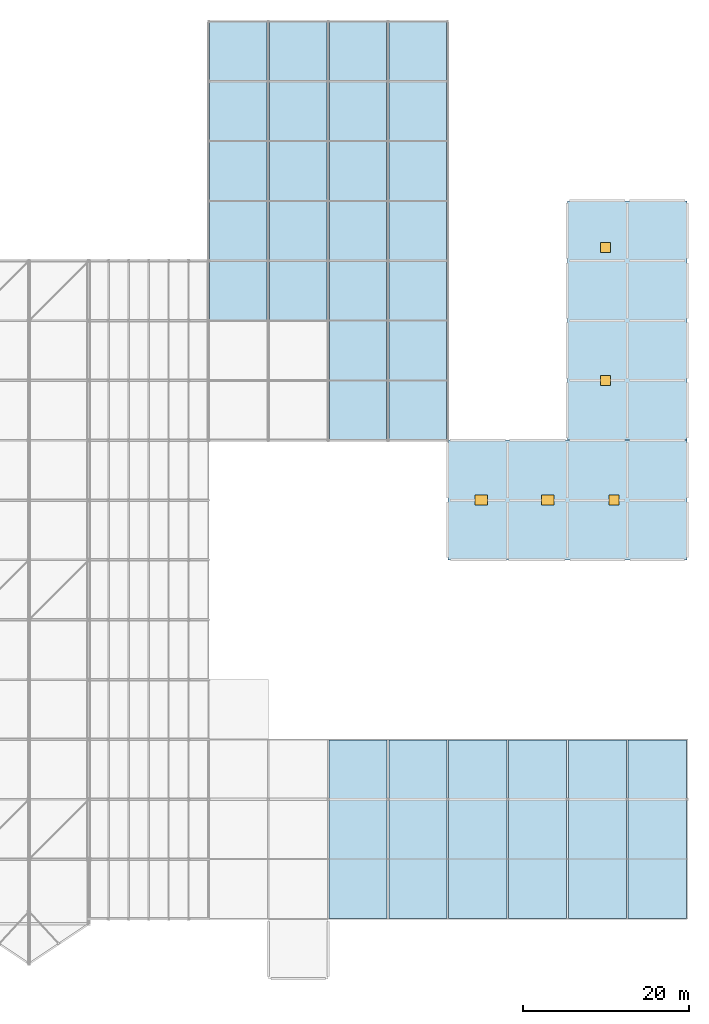
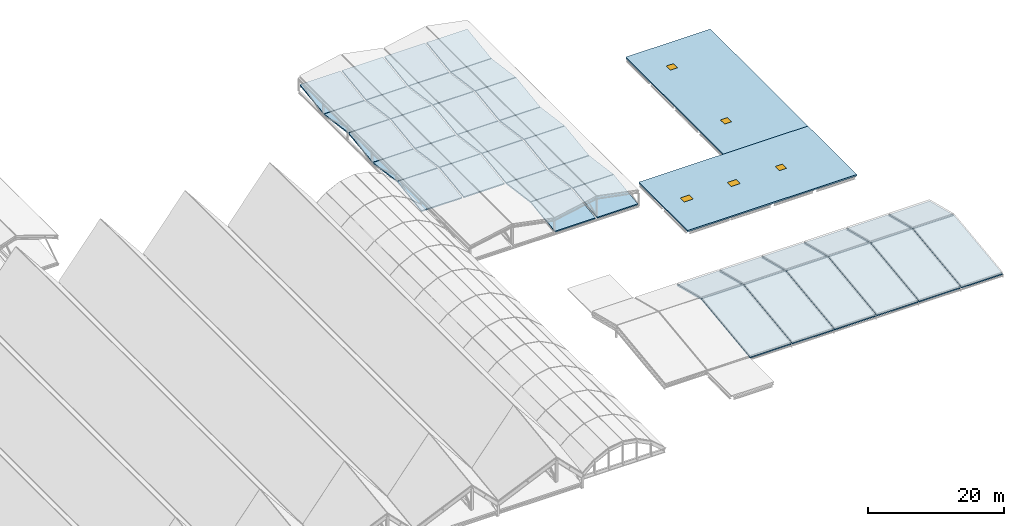
# One storey, part 43 of 60: 38 slabs, 5 windows, 5 openings.
"""IFC4 building model written with IfcOpenShell, lengths in metres."""

from ifc_helpers import new_model, si_unit, direction, frame, origin, origin_2d, place, context, subcontext, project, spatial, polyline, rectangle, outline, extrude, material, layer, layer_set, type_object, element, fill, save


model = new_model("IFC4")

# Units and contexts
model_context = context("Model", 3, precision=1e-05, world=origin(), true_north=direction((0.0, 1.0)))
body_context = subcontext(model_context, "Body", "Model", "MODEL_VIEW")
ifc_project = project(units=[si_unit("LENGTHUNIT", "METRE"), si_unit("AREAUNIT", "SQUARE_METRE"), si_unit("VOLUMEUNIT", "CUBIC_METRE"), si_unit("PLANEANGLEUNIT", "RADIAN"), si_unit("MASSUNIT", "GRAM", prefix="KILO")], contexts=[model_context])

# Site, building, storey
site_placement = place(None, origin())
site = spatial("IfcSite", under=ifc_project, at=site_placement, CompositionType="ELEMENT")
building_placement = place(site_placement, origin())
building = spatial("IfcBuilding", under=site, at=building_placement, Name="Vesperath Aquatics Centre", CompositionType="ELEMENT")
storey_placement = place(building_placement, frame((0.0, 0.0, 27.60009765625)))
storey = spatial("IfcBuildingStorey", under=building, at=storey_placement, Name="RF", CompositionType="ELEMENT", Elevation=27.60009765625)

# Slab, openings, windows
ifc_material_1 = material(Name="Concrete C35", Category="concrete")
ifc_layer_1 = layer(ifc_material_1, 0.2548828125)
ifc_layer_set_1 = layer_set([ifc_layer_1], Name="Concrete C35")
slab_type_1 = type_object("IfcSlabType", Name="SL-RF01", PredefinedType="ROOF", material=ifc_layer_set_1)
slab_1_placement = place(storey_placement, frame((0.0, 0.0, -8.56005859375)))
slab_1 = element("IfcSlab", 1, at=slab_1_placement, inside=storey, type_object=slab_type_1, Name="Conservatory Salon Flat Roof Slab RD01", PredefinedType="ROOF", context=body_context, shape_type="SweptSolid", body=[
    extrude(outline(polyline([(144.0, 50.39990234375), (172.800048828125, 50.39990234375), (172.800048828125, 64.800048828125), (144.0, 64.800048828125), (144.0, 50.39990234375)])), origin(), (0.0, 0.0, 1.0), 0.2548828125),
])
opening_1_placement = place(slab_1_placement, frame((148.0, 57.60009765625, -0.014892578125)))
opening_1 = element("IfcOpeningElement", 2, at=opening_1_placement, cuts=slab_1, Name="Opening RH02", PredefinedType="OPENING", context=body_context, shape_type="SweptSolid", body=[
    extrude(rectangle(XDim=1.5, YDim=1.199951171875, at=origin_2d()), origin(), (0.0, 0.0, 1.0), 0.28466796875),
])
opening_2_placement = place(slab_1_placement, frame((156.0, 57.60009765625, -0.014892578125)))
opening_2 = element("IfcOpeningElement", 3, at=opening_2_placement, cuts=slab_1, Name="Opening RH02", PredefinedType="OPENING", context=body_context, shape_type="SweptSolid", body=[
    extrude(rectangle(XDim=1.5, YDim=1.199951171875, at=origin_2d()), origin(), (0.0, 0.0, 1.0), 0.28466796875),
])
opening_3_placement = place(slab_1_placement, frame((164.0, 57.60009765625, -0.014892578125)))
opening_3 = element("IfcOpeningElement", 4, at=opening_3_placement, cuts=slab_1, Name="Opening RH01", PredefinedType="OPENING", context=body_context, shape_type="SweptSolid", body=[
    extrude(rectangle(XDim=1.199951171875, YDim=1.199951171875, at=origin_2d()), origin(), (0.0, 0.0, 1.0), 0.28466796875),
])
ifc_material_2 = material(Name="Thermally broken aluminium triple-glazed window", Category="aluminium")
window_type_1 = type_object("IfcWindowType", Name="WN-RH01", PartitioningType="SINGLE_PANEL", PredefinedType="SKYLIGHT", material=ifc_material_2)
window_1_placement = place(opening_3_placement, frame((0.0, 0.0, 0.2197265625)))
window_1 = element("IfcWindow", 5, at=window_1_placement, inside=storey, type_object=window_type_1, Name="Insulated Roof Access Skylight Hatch RH01", OverallHeight=1.199951171875, OverallWidth=1.199951171875, PartitioningType="SINGLE_PANEL", PredefinedType="SKYLIGHT", context=body_context, shape_type="SweptSolid", body=[
    extrude(rectangle(XDim=1.199951171875, YDim=1.199951171875, at=origin_2d()), origin(), (0.0, 0.0, 1.0), 0.050048828125),
])
fill(opening_3, window_1)
window_type_2 = type_object("IfcWindowType", Name="WN-RH02", PartitioningType="SINGLE_PANEL", PredefinedType="SKYLIGHT", material=ifc_material_2)
window_2_placement = place(opening_1_placement, frame((0.0, 0.0, 0.2197265625)))
window_2 = element("IfcWindow", 6, at=window_2_placement, inside=storey, type_object=window_type_2, Name="Insulated Roof Access Skylight Hatch RH02", OverallHeight=1.199951171875, OverallWidth=1.5, PartitioningType="SINGLE_PANEL", PredefinedType="SKYLIGHT", context=body_context, shape_type="SweptSolid", body=[
    extrude(rectangle(XDim=1.5, YDim=1.199951171875, at=origin_2d()), origin(), (0.0, 0.0, 1.0), 0.050048828125),
])
fill(opening_1, window_2)
window_3_placement = place(opening_2_placement, frame((0.0, 0.0, 0.2197265625)))
window_3 = element("IfcWindow", 7, at=window_3_placement, inside=storey, type_object=window_type_2, Name="Insulated Roof Access Skylight Hatch RH02", OverallHeight=1.199951171875, OverallWidth=1.5, PartitioningType="SINGLE_PANEL", PredefinedType="SKYLIGHT", context=body_context, shape_type="SweptSolid", body=[
    extrude(rectangle(XDim=1.5, YDim=1.199951171875, at=origin_2d()), origin(), (0.0, 0.0, 1.0), 0.050048828125),
])
fill(opening_2, window_3)

slab_2_placement = place(storey_placement, frame((0.0, 0.0, -8.56005859375)))
slab_2 = element("IfcSlab", 8, at=slab_2_placement, inside=storey, type_object=slab_type_1, Name="East Core Headhouse Roof Slab RD01", PredefinedType="ROOF", context=body_context, shape_type="SweptSolid", body=[
    extrude(outline(polyline([(158.39990234375, 64.800048828125), (172.800048828125, 64.800048828125), (172.800048828125, 93.60009765625), (158.39990234375, 93.60009765625), (158.39990234375, 64.800048828125)])), origin(), (0.0, 0.0, 1.0), 0.2548828125),
])
opening_4_placement = place(slab_2_placement, frame((163.0, 72.0, -0.014892578125)))
opening_4 = element("IfcOpeningElement", 9, at=opening_4_placement, cuts=slab_2, Name="Opening RH01", PredefinedType="OPENING", context=body_context, shape_type="SweptSolid", body=[
    extrude(rectangle(XDim=1.199951171875, YDim=1.199951171875, at=origin_2d()), origin(), (0.0, 0.0, 1.0), 0.28466796875),
])
opening_5_placement = place(slab_2_placement, frame((163.0, 88.0, -0.014892578125)))
opening_5 = element("IfcOpeningElement", 10, at=opening_5_placement, cuts=slab_2, Name="Opening RH01", PredefinedType="OPENING", context=body_context, shape_type="SweptSolid", body=[
    extrude(rectangle(XDim=1.199951171875, YDim=1.199951171875, at=origin_2d()), origin(), (0.0, 0.0, 1.0), 0.28466796875),
])
window_4_placement = place(opening_4_placement, frame((0.0, 0.0, 0.2197265625)))
window_4 = element("IfcWindow", 11, at=window_4_placement, inside=storey, type_object=window_type_1, Name="Insulated Roof Access Skylight Hatch RH01", OverallHeight=1.199951171875, OverallWidth=1.199951171875, PartitioningType="SINGLE_PANEL", PredefinedType="SKYLIGHT", context=body_context, shape_type="SweptSolid", body=[
    extrude(rectangle(XDim=1.199951171875, YDim=1.199951171875, at=origin_2d()), origin(), (0.0, 0.0, 1.0), 0.050048828125),
])
fill(opening_4, window_4)
window_5_placement = place(opening_5_placement, frame((0.0, 0.0, 0.2197265625)))
window_5 = element("IfcWindow", 12, at=window_5_placement, inside=storey, type_object=window_type_1, Name="Insulated Roof Access Skylight Hatch RH01", OverallHeight=1.199951171875, OverallWidth=1.199951171875, PartitioningType="SINGLE_PANEL", PredefinedType="SKYLIGHT", context=body_context, shape_type="SweptSolid", body=[
    extrude(rectangle(XDim=1.199951171875, YDim=1.199951171875, at=origin_2d()), origin(), (0.0, 0.0, 1.0), 0.050048828125),
])
fill(opening_5, window_5)

# Slabs
ifc_layer_2 = layer(ifc_material_1, 0.235107421875)
ifc_layer_set_2 = layer_set([ifc_layer_2], Name="Concrete C35")
slab_type_2 = type_object("IfcSlabType", Name="SL-RF02", PredefinedType="ROOF", material=ifc_layer_set_2)
for number, where, z_axis, x_axis, name in (
    (13, (115.35009765625, 79.2451171875, -12.2001953125), (0.0, -0.133904347834, 0.990994261149), (1.0, 0.0, 0.0), "Training Hall Lower Folded Roof Deck RD02 17-2"),
    (14, (115.35009765625, 86.445068359375, -11.239501953125), (0.0, 0.133904347834, 0.990994261149), (1.0, 0.0, 0.0), "Training Hall Lower Folded Roof Deck RD02 17-3"),
    (15, (115.35009765625, 93.64501953125, -12.2001953125), (0.0, -0.133904347834, 0.990994261149), (1.0, 0.0, 0.0), "Training Hall Lower Folded Roof Deck RD02 17-4"),
):
    element("IfcSlab", number, at=place(storey_placement, frame(where, z_axis=z_axis, x_axis=x_axis)), inside=storey, type_object=slab_type_2, Name=name, PredefinedType="ROOF", context=body_context, shape_type="SweptSolid", body=[
        extrude(outline(polyline([(0.0, 0.0), (6.89990234375, 0.0), (6.89990234375, 7.174474727031536), (0.0, 7.174474727031536), (0.0, 0.0)])), origin(), (0.0, 0.0, -1.0), 0.235107421875),
    ])
for number, where, z_axis, x_axis, name in (
    (16, (115.35009765625, 100.844970703125, -11.239501953125), (0.0, 0.133899832382, 0.990994871272), (1.0, 0.0, 0.0), "Training Hall Lower Folded Roof Deck RD02 17-5"),
    (17, (115.35009765625, 108.044921875, -12.2001953125), (0.0, -0.133899832382, 0.990994871272), (1.0, 0.0, 0.0), "Training Hall Lower Folded Roof Deck RD02 17-6"),
):
    element("IfcSlab", number, at=place(storey_placement, frame(where, z_axis=z_axis, x_axis=x_axis)), inside=storey, type_object=slab_type_2, Name=name, PredefinedType="ROOF", context=body_context, shape_type="SweptSolid", body=[
        extrude(outline(polyline([(0.0, 0.0), (6.89990234375, 0.0), (6.89990234375, 7.174716669064304), (0.0, 7.174716669064304), (0.0, 0.0)])), origin(), (0.0, 0.0, -1.0), 0.235107421875),
    ])
for number, where, z_axis, x_axis, name in (
    (18, (122.550048828125, 79.2451171875, -12.2001953125), (0.0, -0.133904347834, 0.990994261149), (1.0, 0.0, 0.0), "Training Hall Lower Folded Roof Deck RD02 18-2"),
    (19, (122.550048828125, 86.445068359375, -11.239501953125), (0.0, 0.133904347834, 0.990994261149), (1.0, 0.0, 0.0), "Training Hall Lower Folded Roof Deck RD02 18-3"),
    (20, (122.550048828125, 93.64501953125, -12.2001953125), (0.0, -0.133904347834, 0.990994261149), (1.0, 0.0, 0.0), "Training Hall Lower Folded Roof Deck RD02 18-4"),
):
    element("IfcSlab", number, at=place(storey_placement, frame(where, z_axis=z_axis, x_axis=x_axis)), inside=storey, type_object=slab_type_2, Name=name, PredefinedType="ROOF", context=body_context, shape_type="SweptSolid", body=[
        extrude(outline(polyline([(0.0, 0.0), (6.89990234375, 0.0), (6.89990234375, 7.174474727031536), (0.0, 7.174474727031536), (0.0, 0.0)])), origin(), (0.0, 0.0, -1.0), 0.235107421875),
    ])
for number, where, z_axis, x_axis, name in (
    (21, (122.550048828125, 100.844970703125, -11.239501953125), (0.0, 0.133899832382, 0.990994871272), (1.0, 0.0, 0.0), "Training Hall Lower Folded Roof Deck RD02 18-5"),
    (22, (122.550048828125, 108.044921875, -12.2001953125), (0.0, -0.133899832382, 0.990994871272), (1.0, 0.0, 0.0), "Training Hall Lower Folded Roof Deck RD02 18-6"),
    (23, (129.75, 64.844970703125, -12.2001953125), (0.0, -0.133899832382, 0.990994871272), (1.0, 0.0, 0.0), "Training Hall Lower Folded Roof Deck RD02 19-0"),
    (24, (129.75, 72.044921875, -11.239501953125), (0.0, 0.133899832382, 0.990994871272), (1.0, 0.0, 0.0), "Training Hall Lower Folded Roof Deck RD02 19-1"),
):
    element("IfcSlab", number, at=place(storey_placement, frame(where, z_axis=z_axis, x_axis=x_axis)), inside=storey, type_object=slab_type_2, Name=name, PredefinedType="ROOF", context=body_context, shape_type="SweptSolid", body=[
        extrude(outline(polyline([(0.0, 0.0), (6.89990234375, 0.0), (6.89990234375, 7.174716669064304), (0.0, 7.174716669064304), (0.0, 0.0)])), origin(), (0.0, 0.0, -1.0), 0.235107421875),
    ])
for number, where, z_axis, x_axis, name in (
    (25, (129.75, 79.2451171875, -12.2001953125), (0.0, -0.133904347834, 0.990994261149), (1.0, 0.0, 0.0), "Training Hall Lower Folded Roof Deck RD02 19-2"),
    (26, (129.75, 86.445068359375, -11.239501953125), (0.0, 0.133904347834, 0.990994261149), (1.0, 0.0, 0.0), "Training Hall Lower Folded Roof Deck RD02 19-3"),
    (27, (129.75, 93.64501953125, -12.2001953125), (0.0, -0.133904347834, 0.990994261149), (1.0, 0.0, 0.0), "Training Hall Lower Folded Roof Deck RD02 19-4"),
):
    element("IfcSlab", number, at=place(storey_placement, frame(where, z_axis=z_axis, x_axis=x_axis)), inside=storey, type_object=slab_type_2, Name=name, PredefinedType="ROOF", context=body_context, shape_type="SweptSolid", body=[
        extrude(outline(polyline([(0.0, 0.0), (6.89990234375, 0.0), (6.89990234375, 7.174474727031536), (0.0, 7.174474727031536), (0.0, 0.0)])), origin(), (0.0, 0.0, -1.0), 0.235107421875),
    ])
for number, where, z_axis, x_axis, name in (
    (28, (129.75, 100.844970703125, -11.239501953125), (0.0, 0.133899832382, 0.990994871272), (1.0, 0.0, 0.0), "Training Hall Lower Folded Roof Deck RD02 19-5"),
    (29, (129.75, 108.044921875, -12.2001953125), (0.0, -0.133899832382, 0.990994871272), (1.0, 0.0, 0.0), "Training Hall Lower Folded Roof Deck RD02 19-6"),
):
    element("IfcSlab", number, at=place(storey_placement, frame(where, z_axis=z_axis, x_axis=x_axis)), inside=storey, type_object=slab_type_2, Name=name, PredefinedType="ROOF", context=body_context, shape_type="SweptSolid", body=[
        extrude(outline(polyline([(0.0, 0.0), (6.89990234375, 0.0), (6.89990234375, 7.174716669064304), (0.0, 7.174716669064304), (0.0, 0.0)])), origin(), (0.0, 0.0, -1.0), 0.235107421875),
    ])
for number, where, z_axis, x_axis, name in (
    (30, (136.949951171875, 64.844970703125, -12.2001953125), (0.0, -0.133899832382, 0.990994871272), (1.0, 0.0, 0.0), "Training Hall Lower Folded Roof Deck RD02 20-0"),
    (31, (136.949951171875, 72.044921875, -11.239501953125), (0.0, 0.133899832382, 0.990994871272), (1.0, 0.0, 0.0), "Training Hall Lower Folded Roof Deck RD02 20-1"),
):
    element("IfcSlab", number, at=place(storey_placement, frame(where, z_axis=z_axis, x_axis=x_axis)), inside=storey, type_object=slab_type_2, Name=name, PredefinedType="ROOF", context=body_context, shape_type="SweptSolid", body=[
        extrude(outline(polyline([(0.0, 0.0), (6.900146484375, 0.0), (6.900146484375, 7.174716669064304), (0.0, 7.174716669064304), (0.0, 0.0)])), origin(), (0.0, 0.0, -1.0), 0.235107421875),
    ])
for number, where, z_axis, x_axis, name in (
    (32, (136.949951171875, 79.2451171875, -12.2001953125), (0.0, -0.133904347834, 0.990994261149), (1.0, 0.0, 0.0), "Training Hall Lower Folded Roof Deck RD02 20-2"),
    (33, (136.949951171875, 86.445068359375, -11.239501953125), (0.0, 0.133904347834, 0.990994261149), (1.0, 0.0, 0.0), "Training Hall Lower Folded Roof Deck RD02 20-3"),
    (34, (136.949951171875, 93.64501953125, -12.2001953125), (0.0, -0.133904347834, 0.990994261149), (1.0, 0.0, 0.0), "Training Hall Lower Folded Roof Deck RD02 20-4"),
):
    element("IfcSlab", number, at=place(storey_placement, frame(where, z_axis=z_axis, x_axis=x_axis)), inside=storey, type_object=slab_type_2, Name=name, PredefinedType="ROOF", context=body_context, shape_type="SweptSolid", body=[
        extrude(outline(polyline([(0.0, 0.0), (6.900146484375, 0.0), (6.900146484375, 7.174474727031535), (0.0, 7.174474727031535), (0.0, 0.0)])), origin(), (0.0, 0.0, -1.0), 0.235107421875),
    ])
for number, where, z_axis, x_axis, name in (
    (35, (136.949951171875, 100.844970703125, -11.239501953125), (0.0, 0.133899832382, 0.990994871272), (1.0, 0.0, 0.0), "Training Hall Lower Folded Roof Deck RD02 20-5"),
    (36, (136.949951171875, 108.044921875, -12.2001953125), (0.0, -0.133899832382, 0.990994871272), (1.0, 0.0, 0.0), "Training Hall Lower Folded Roof Deck RD02 20-6"),
):
    element("IfcSlab", number, at=place(storey_placement, frame(where, z_axis=z_axis, x_axis=x_axis)), inside=storey, type_object=slab_type_2, Name=name, PredefinedType="ROOF", context=body_context, shape_type="SweptSolid", body=[
        extrude(outline(polyline([(0.0, 0.0), (6.900146484375, 0.0), (6.900146484375, 7.174716669064304), (0.0, 7.174716669064304), (0.0, 0.0)])), origin(), (0.0, 0.0, -1.0), 0.235107421875),
    ])
slab_3_placement = place(storey_placement, frame((129.699951171875, 7.239990234375, 0.079833984375), z_axis=(0.0, -0.124805543827, 0.992181221466), x_axis=(1.0, 0.0, 0.0)))
element("IfcSlab", 37, at=slab_3_placement, inside=storey, type_object=slab_type_2, Name="Boulevard Wing South Roof Slab RD02 19", PredefinedType="ROOF", context=body_context, shape_type="SweptSolid", body=[
    extrude(outline(polyline([(0.0, 0.0), (7.0, 0.0), (7.0, 14.422827487708242), (0.0, 14.422827487708242), (0.0, 0.0)])), origin(), (0.0, 0.0, -1.0), 0.235107421875),
])
slab_4_placement = place(storey_placement, frame((129.699951171875, 21.64990234375, 1.8798828125), z_axis=(0.0, 0.245424638793, 0.969415672802), x_axis=(1.0, 0.0, 0.0)))
element("IfcSlab", 38, at=slab_4_placement, inside=storey, type_object=slab_type_2, Name="Boulevard Wing North Roof Slab RD02 19", PredefinedType="ROOF", context=body_context, shape_type="SweptSolid", body=[
    extrude(outline(polyline([(0.0, 0.0), (7.0, 0.0), (7.0, 7.3344259035207475), (0.0, 7.3344259035207475), (0.0, 0.0)])), origin(), (0.0, 0.0, -1.0), 0.235107421875),
])
slab_5_placement = place(storey_placement, frame((136.89990234375, 7.239990234375, 0.079833984375), z_axis=(0.0, -0.124805543827, 0.992181221466), x_axis=(1.0, 0.0, 0.0)))
element("IfcSlab", 39, at=slab_5_placement, inside=storey, type_object=slab_type_2, Name="Boulevard Wing South Roof Slab RD02 20", PredefinedType="ROOF", context=body_context, shape_type="SweptSolid", body=[
    extrude(outline(polyline([(0.0, 0.0), (7.0, 0.0), (7.0, 14.422827487708242), (0.0, 14.422827487708242), (0.0, 0.0)])), origin(), (0.0, 0.0, -1.0), 0.235107421875),
])
slab_6_placement = place(storey_placement, frame((136.89990234375, 21.64990234375, 1.8798828125), z_axis=(0.0, 0.245424638793, 0.969415672802), x_axis=(1.0, 0.0, 0.0)))
element("IfcSlab", 40, at=slab_6_placement, inside=storey, type_object=slab_type_2, Name="Boulevard Wing North Roof Slab RD02 20", PredefinedType="ROOF", context=body_context, shape_type="SweptSolid", body=[
    extrude(outline(polyline([(0.0, 0.0), (7.0, 0.0), (7.0, 7.3344259035207475), (0.0, 7.3344259035207475), (0.0, 0.0)])), origin(), (0.0, 0.0, -1.0), 0.235107421875),
])
slab_7_placement = place(storey_placement, frame((144.10009765625, 7.239990234375, 0.079833984375), z_axis=(0.0, -0.124805543827, 0.992181221466), x_axis=(1.0, 0.0, 0.0)))
element("IfcSlab", 41, at=slab_7_placement, inside=storey, type_object=slab_type_2, Name="Boulevard Wing South Roof Slab RD02 21", PredefinedType="ROOF", context=body_context, shape_type="SweptSolid", body=[
    extrude(outline(polyline([(0.0, 0.0), (7.0, 0.0), (7.0, 14.422827487708242), (0.0, 14.422827487708242), (0.0, 0.0)])), origin(), (0.0, 0.0, -1.0), 0.235107421875),
])
slab_8_placement = place(storey_placement, frame((144.10009765625, 21.64990234375, 1.8798828125), z_axis=(0.0, 0.245424638793, 0.969415672802), x_axis=(1.0, 0.0, 0.0)))
element("IfcSlab", 42, at=slab_8_placement, inside=storey, type_object=slab_type_2, Name="Boulevard Wing North Roof Slab RD02 21", PredefinedType="ROOF", context=body_context, shape_type="SweptSolid", body=[
    extrude(outline(polyline([(0.0, 0.0), (7.0, 0.0), (7.0, 7.3344259035207475), (0.0, 7.3344259035207475), (0.0, 0.0)])), origin(), (0.0, 0.0, -1.0), 0.235107421875),
])
slab_9_placement = place(storey_placement, frame((151.300048828125, 7.239990234375, 0.079833984375), z_axis=(0.0, -0.124805543827, 0.992181221466), x_axis=(1.0, 0.0, 0.0)))
element("IfcSlab", 43, at=slab_9_placement, inside=storey, type_object=slab_type_2, Name="Boulevard Wing South Roof Slab RD02 22", PredefinedType="ROOF", context=body_context, shape_type="SweptSolid", body=[
    extrude(outline(polyline([(0.0, 0.0), (7.0, 0.0), (7.0, 14.422827487708242), (0.0, 14.422827487708242), (0.0, 0.0)])), origin(), (0.0, 0.0, -1.0), 0.235107421875),
])
slab_10_placement = place(storey_placement, frame((151.300048828125, 21.64990234375, 1.8798828125), z_axis=(0.0, 0.245424638793, 0.969415672802), x_axis=(1.0, 0.0, 0.0)))
element("IfcSlab", 44, at=slab_10_placement, inside=storey, type_object=slab_type_2, Name="Boulevard Wing North Roof Slab RD02 22", PredefinedType="ROOF", context=body_context, shape_type="SweptSolid", body=[
    extrude(outline(polyline([(0.0, 0.0), (7.0, 0.0), (7.0, 7.3344259035207475), (0.0, 7.3344259035207475), (0.0, 0.0)])), origin(), (0.0, 0.0, -1.0), 0.235107421875),
])
slab_11_placement = place(storey_placement, frame((158.5, 7.239990234375, 0.079833984375), z_axis=(0.0, -0.124805543827, 0.992181221466), x_axis=(1.0, 0.0, 0.0)))
element("IfcSlab", 45, at=slab_11_placement, inside=storey, type_object=slab_type_2, Name="Boulevard Wing South Roof Slab RD02 23", PredefinedType="ROOF", context=body_context, shape_type="SweptSolid", body=[
    extrude(outline(polyline([(0.0, 0.0), (7.0, 0.0), (7.0, 14.422827487708242), (0.0, 14.422827487708242), (0.0, 0.0)])), origin(), (0.0, 0.0, -1.0), 0.235107421875),
])
slab_12_placement = place(storey_placement, frame((158.5, 21.64990234375, 1.8798828125), z_axis=(0.0, 0.245424638793, 0.969415672802), x_axis=(1.0, 0.0, 0.0)))
element("IfcSlab", 46, at=slab_12_placement, inside=storey, type_object=slab_type_2, Name="Boulevard Wing North Roof Slab RD02 23", PredefinedType="ROOF", context=body_context, shape_type="SweptSolid", body=[
    extrude(outline(polyline([(0.0, 0.0), (7.0, 0.0), (7.0, 7.3344259035207475), (0.0, 7.3344259035207475), (0.0, 0.0)])), origin(), (0.0, 0.0, -1.0), 0.235107421875),
])
slab_13_placement = place(storey_placement, frame((165.699951171875, 7.239990234375, 0.079833984375), z_axis=(0.0, -0.124805543827, 0.992181221466), x_axis=(1.0, 0.0, 0.0)))
element("IfcSlab", 47, at=slab_13_placement, inside=storey, type_object=slab_type_2, Name="Boulevard Wing South Roof Slab RD02 24", PredefinedType="ROOF", context=body_context, shape_type="SweptSolid", body=[
    extrude(outline(polyline([(0.0, 0.0), (7.0, 0.0), (7.0, 14.422827487708242), (0.0, 14.422827487708242), (0.0, 0.0)])), origin(), (0.0, 0.0, -1.0), 0.235107421875),
])
slab_14_placement = place(storey_placement, frame((165.699951171875, 21.64990234375, 1.8798828125), z_axis=(0.0, 0.245424638793, 0.969415672802), x_axis=(1.0, 0.0, 0.0)))
element("IfcSlab", 48, at=slab_14_placement, inside=storey, type_object=slab_type_2, Name="Boulevard Wing North Roof Slab RD02 24", PredefinedType="ROOF", context=body_context, shape_type="SweptSolid", body=[
    extrude(outline(polyline([(0.0, 0.0), (7.0, 0.0), (7.0, 7.3344259035207475), (0.0, 7.3344259035207475), (0.0, 0.0)])), origin(), (0.0, 0.0, -1.0), 0.235107421875),
])

save(model, "model.ifc")
